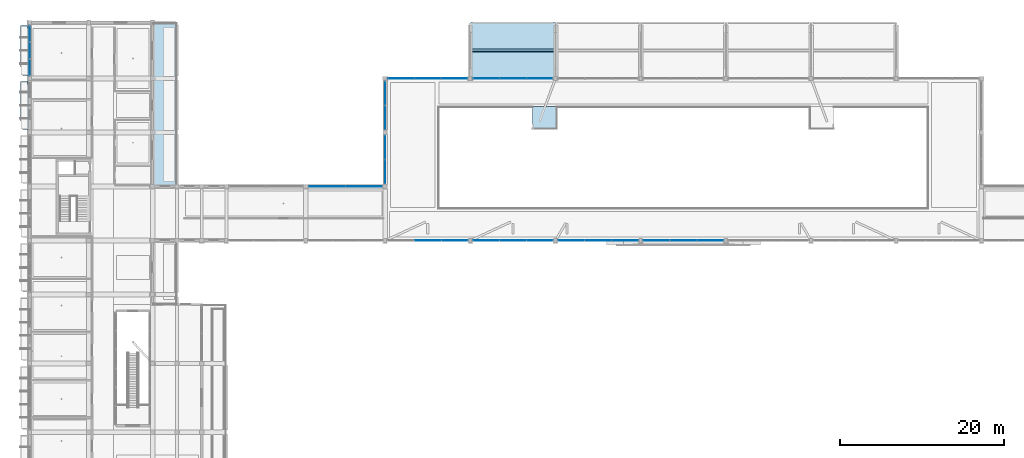
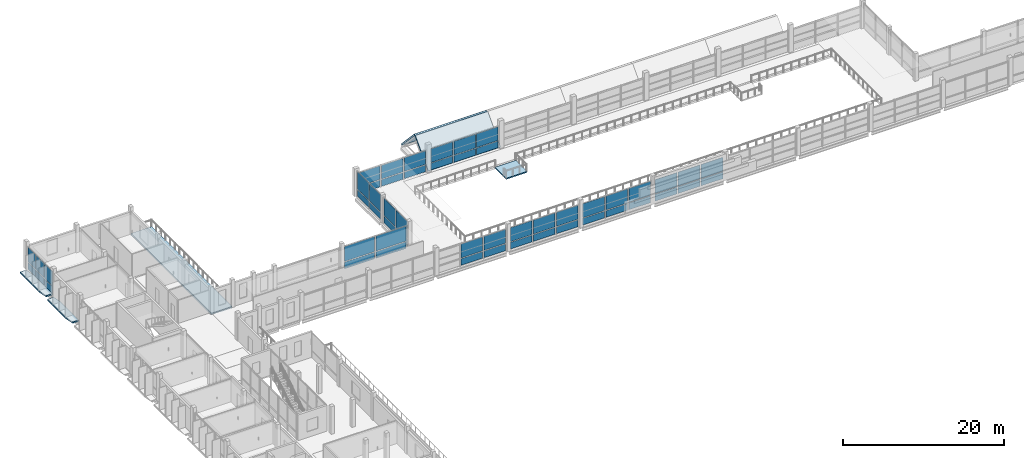
# One storey, part 32 of 85: 52 plates, 6 slabs, 11 elements without a shape of their own.
"""IFC4 building model written with IfcOpenShell, lengths in metres."""

import ifcopenshell
import ifcopenshell.guid

model = None  # the IFC model being written
_history = None  # IfcOwnerHistory: only IFC2X3 demands one
_inside = {}  # id of a spatial element -> (the spatial element, [elements in it])
_under = {}  # id of a project, library or spatial element -> (it, [spatial elements below it])
_declared = {}  # id of a project -> (the project, [libraries it declares])
_typed = {}  # id of a type object -> (the type object, [elements of that type])
_made_of = {}  # id of a material, layer set ... -> (it, [elements and type objects made of it])


def new_model(schema):
    """Start an empty IFC model of exactly this schema.

    Asked for "IFC4X3", IfcOpenShell would pick the latest addendum, in which some entities
    have other attributes; the version numbers below select the first issue.
    IFC2X3 requires an IfcOwnerHistory on every rooted entity: one is made here for all.
    """
    global model, _history
    if schema == "IFC4X3":
        model = ifcopenshell.file(schema_version=(4, 3, 0, 0))
    else:
        model = ifcopenshell.file(schema=schema)
    _inside.clear()
    _under.clear()
    _declared.clear()
    _typed.clear()
    _made_of.clear()
    _history = None
    if model.schema == "IFC2X3":
        org = make("IfcOrganization", Name="unknown")
        user = make(
            "IfcPersonAndOrganization",
            ThePerson=make("IfcPerson", FamilyName="unknown"),
            TheOrganization=org,
        )
        app = make(
            "IfcApplication",
            ApplicationDeveloper=org,
            Version="unknown",
            ApplicationFullName="unknown",
            ApplicationIdentifier="unknown",
        )
        _history = make(
            "IfcOwnerHistory",
            OwningUser=user,
            OwningApplication=app,
            ChangeAction="ADDED",
            CreationDate=0,
        )
    return model


def make(cls, **values):
    """One entity of the class cls with the attributes given. An attribute that is None is left unset."""
    return model.create_entity(
        cls, **{name: value for name, value in values.items() if value is not None}
    )


def rooted(cls, **values):
    """An entity with a GlobalId (a new one), such as an element, a storey or a relation."""
    return make(cls, GlobalId=ifcopenshell.guid.new(), OwnerHistory=_history, **values)


def si_unit(unit_type, name, prefix=None):
    """IfcSIUnit, for example si_unit("LENGTHUNIT", "METRE", prefix="MILLI")."""
    return make("IfcSIUnit", UnitType=unit_type, Prefix=prefix, Name=name)


def derived_unit(unit_type, elements):
    """IfcDerivedUnit: a product of units, each with its exponent."""
    return make(
        "IfcDerivedUnit",
        Elements=[
            make("IfcDerivedUnitElement", Unit=unit, Exponent=power)
            for unit, power in elements
        ],
        UnitType=unit_type,
    )


def assignment(units):
    """IfcUnitAssignment: the units of a project."""
    return None if units is None else make("IfcUnitAssignment", Units=units)


def point(xyz):
    """IfcCartesianPoint."""
    return None if xyz is None else make("IfcCartesianPoint", Coordinates=xyz)


def direction(xyz):
    """IfcDirection."""
    return None if xyz is None else make("IfcDirection", DirectionRatios=xyz)


def frame(location, z_axis=None, x_axis=None):
    """IfcAxis2Placement3D, a coordinate frame: its origin and axes. An axis left out is left unset."""
    return make(
        "IfcAxis2Placement3D",
        Location=point(location),
        Axis=direction(z_axis),
        RefDirection=direction(x_axis),
    )


def frame_2d(location, x_axis=None):
    """IfcAxis2Placement2D, a coordinate frame in the plane: its origin and x axis."""
    return make(
        "IfcAxis2Placement2D", Location=point(location), RefDirection=direction(x_axis)
    )


def origin():
    """The frame at (0, 0, 0) with its axes left unset."""
    return frame((0.0, 0.0, 0.0))


def origin_2d():
    """The frame at (0, 0) in the plane with its x axis left unset."""
    return frame_2d((0.0, 0.0))


def place(relative_to, where):
    """IfcLocalPlacement: puts the frame where relative to a parent placement (None: the world)."""
    return make(
        "IfcLocalPlacement", PlacementRelTo=relative_to, RelativePlacement=where
    )


def context(
    kind, dimensions, precision=None, world=None, true_north=None, identifier=None
):
    """IfcGeometricRepresentationContext, for example the 3D "Model" context."""
    return make(
        "IfcGeometricRepresentationContext",
        ContextIdentifier=identifier,
        ContextType=kind,
        CoordinateSpaceDimension=dimensions,
        Precision=precision,
        WorldCoordinateSystem=world,
        TrueNorth=true_north,
    )


def subcontext(parent, identifier, kind, view, scale=None):
    """IfcGeometricRepresentationSubContext, for example "Body" below "Model"."""
    return make(
        "IfcGeometricRepresentationSubContext",
        ContextIdentifier=identifier,
        ContextType=kind,
        ParentContext=parent,
        TargetScale=scale,
        TargetView=view,
    )


def project(units=None, contexts=None):
    """IfcProject with its units and contexts."""
    return rooted(
        "IfcProject",
        Name="project",
        RepresentationContexts=contexts,
        UnitsInContext=assignment(units),
    )


def spatial(cls, under=None, at=None, **own):
    """A site, building, storey or space (cls), placed at a placement, below another one or the project."""
    s = rooted(cls, ObjectPlacement=at, **own)
    if under is not None:
        _under.setdefault(under.id(), (under, []))[1].append(s)
    return s


def polyline(points):
    """IfcPolyline through the points."""
    return make("IfcPolyline", Points=[point(p) for p in points])


def profile(cls, at=None, kind="AREA", **sizes):
    """A parametric profile (cls). Its sizes go by their IFC names, for example OverallWidth=200.0."""
    return make(cls, ProfileType=kind, Position=at, **sizes)


def rectangle(**sizes):
    """IfcRectangleProfileDef."""
    return profile("IfcRectangleProfileDef", **sizes)


def outline(outer, holes=None, kind="AREA"):
    """IfcArbitraryClosedProfileDef: a profile drawn as a closed curve; with holes, ...WithVoids."""
    if holes is None:
        return make("IfcArbitraryClosedProfileDef", ProfileType=kind, OuterCurve=outer)
    return make(
        "IfcArbitraryProfileDefWithVoids",
        ProfileType=kind,
        OuterCurve=outer,
        InnerCurves=holes,
    )


def extrude(swept, where, along, depth):
    """IfcExtrudedAreaSolid: the profile swept, set in the frame where, extruded along a direction by depth."""
    return make(
        "IfcExtrudedAreaSolid",
        SweptArea=swept,
        Position=where,
        ExtrudedDirection=direction(along),
        Depth=depth,
    )


def shape(context_of_items, identifier, shape_type, items):
    """IfcShapeRepresentation: the items that make up one representation, for example the "Body"."""
    return make(
        "IfcShapeRepresentation",
        ContextOfItems=context_of_items,
        RepresentationIdentifier=identifier,
        RepresentationType=shape_type,
        Items=items,
    )


def material(Name=None, Category=None):
    """IfcMaterial."""
    return make("IfcMaterial", Name=Name, Category=Category)


def layer(
    of_material, thickness, ventilated=None, Name=None, Category=None, Priority=None
):
    """IfcMaterialLayer: one layer of a wall or slab, of a material (None: an air gap)."""
    return make(
        "IfcMaterialLayer",
        Material=of_material,
        LayerThickness=thickness,
        IsVentilated=ventilated,
        Name=Name,
        Category=Category,
        Priority=Priority,
    )


def layer_set(layers, Name=None):
    """IfcMaterialLayerSet."""
    return make("IfcMaterialLayerSet", MaterialLayers=layers, LayerSetName=Name)


def made_of(thing, what):
    """Note that an element or type object is made of a material, layer set ...; save() writes the relation."""
    if what is not None:
        _made_of.setdefault(what.id(), (what, []))[1].append(thing)
    return thing


def type_object(cls, material=None, **own):
    """A type object (cls), such as IfcWallType, which elements share."""
    return made_of(rooted(cls, **own), material)


def element(
    cls,
    number,
    at=None,
    inside=None,
    cuts=None,
    type_object=None,
    material=None,
    context=None,
    identifier="Body",
    shape_type=None,
    held_by="IfcProductDefinitionShape",
    body=None,
    shapes=None,
    **own,
):
    """One element of the class cls, such as IfcWall. Its Tag is "e" and its number.

    at: its placement. inside: the storey or other place that contains it. cuts: it is an
    opening in that element (IfcRelVoidsElement). A single representation is given by context,
    identifier, shape_type and body (its items); several are given by shapes. held_by: the class
    of the entity that holds the representations. save() writes the other relations.
    """
    e = rooted(cls, Tag="e%d" % number, ObjectPlacement=at, **own)
    if body is not None:
        shapes = [shape(context, identifier, shape_type, body)]
    if shapes is not None:
        e.Representation = make(held_by, Representations=shapes)
    if inside is not None:
        _inside.setdefault(inside.id(), (inside, []))[1].append(e)
    if cuts is not None:
        rooted(
            "IfcRelVoidsElement", RelatingBuildingElement=cuts, RelatedOpeningElement=e
        )
    if type_object is not None:
        _typed.setdefault(type_object.id(), (type_object, []))[1].append(e)
    return made_of(e, material)


def aggregate(whole, parts):
    """IfcRelAggregates: a whole, such as a stair, and the parts it consists of."""
    return rooted("IfcRelAggregates", RelatingObject=whole, RelatedObjects=parts)


def save(model, path):
    """Write the relations noted so far, then the file.

    IfcRelAggregates (storeys below a building ...), IfcRelContainedInSpatialStructure (elements
    in a storey), IfcRelDefinesByType, IfcRelAssociatesMaterial and IfcRelDeclares: one each for
    every whole, place, type object, material and project.
    """
    for whole, parts in _under.values():
        aggregate(whole, parts)
    for where, things in _inside.values():
        rooted(
            "IfcRelContainedInSpatialStructure",
            RelatedElements=things,
            RelatingStructure=where,
        )
    for kind, things in _typed.values():
        rooted("IfcRelDefinesByType", RelatedObjects=things, RelatingType=kind)
    for what, things in _made_of.values():
        rooted("IfcRelAssociatesMaterial", RelatedObjects=things, RelatingMaterial=what)
    for by, libraries in _declared.values():
        rooted("IfcRelDeclares", RelatingContext=by, RelatedDefinitions=libraries)
    model.write(path)


model = new_model("IFC4")

# Units and contexts
model_context = context("Model", 3, precision=1e-05, world=origin(), true_north=direction((0.0, 1.0)))
body_context = subcontext(model_context, "Body", "Model", "MODEL_VIEW")
ifc_project = project(units=[si_unit("LENGTHUNIT", "METRE"), si_unit("AREAUNIT", "SQUARE_METRE"), si_unit("VOLUMEUNIT", "CUBIC_METRE"), si_unit("PLANEANGLEUNIT", "RADIAN"), si_unit("MASSUNIT", "GRAM", prefix="KILO"), derived_unit("THERMALTRANSMITTANCEUNIT", [(si_unit("POWERUNIT", "WATT"), 1), (si_unit("LENGTHUNIT", "METRE"), -2), (si_unit("THERMODYNAMICTEMPERATUREUNIT", "KELVIN"), -1)])], contexts=[model_context])

# Site, building, storey
site_placement = place(None, origin())
site = spatial("IfcSite", under=ifc_project, at=site_placement, CompositionType="ELEMENT")
building_placement = place(site_placement, origin())
building = spatial("IfcBuilding", under=site, at=building_placement, Name="Braskholm Square Health Centre", CompositionType="ELEMENT")
storey_placement = place(building_placement, frame((0.0, 0.0, 9.300048828125)))
storey = spatial("IfcBuildingStorey", under=building, at=storey_placement, Name="L03", CompositionType="ELEMENT", Elevation=9.300048828125)

# Curtain wall, plates
ifc_material_1 = material(Name="Low-E triple insulating glass (VLT 0.64)", Category="glass")
curtain_wall_type_1 = type_object("IfcCurtainWallType", Name="UnitisedCurtainWall6200x3650", PredefinedType="NOTDEFINED", material=ifc_material_1)
curtain_wall_1_placement = place(storey_placement, origin())
curtain_wall_1 = element("IfcCurtainWall", 1, at=curtain_wall_1_placement, inside=storey, type_object=curtain_wall_type_1, Name="West Outer unitised curtain wall CW-L03-0021", PredefinedType="NOTDEFINED")
ifc_material_2 = material(Name="Architectural bronze anodised aluminium", Category="aluminium")
plate_type_1 = type_object("IfcPlateType", Name="CurtainPanelSpandrel1850x1020", PredefinedType="CURTAIN_PANEL", material=ifc_material_2)
plate_1_placement = place(storey_placement, frame((4.199951171875, 112.473388671875, 0.050048828125), z_axis=(0.0, 0.0, 1.0), x_axis=(0.0, -1.0, 0.0)))
plate_1 = element("IfcPlate", 2, at=plate_1_placement, type_object=plate_type_1, Name="CW-L03-0021 spandrel panel 1", PredefinedType="CURTAIN_PANEL", context=body_context, shape_type="SweptSolid", body=[
    extrude(rectangle(XDim=1.948974609375, YDim=0.035888671875, at=origin_2d()), origin(), (0.0, 0.0, 1.0), 1.02001953125),
])
plate_2_placement = place(storey_placement, frame((4.199951171875, 110.39990234375, 0.050048828125), z_axis=(0.0, 0.0, 1.0), x_axis=(0.0, -1.0, 0.0)))
plate_2 = element("IfcPlate", 3, at=plate_2_placement, type_object=plate_type_1, Name="CW-L03-0021 spandrel panel 2", PredefinedType="CURTAIN_PANEL", context=body_context, shape_type="SweptSolid", body=[
    extrude(rectangle(XDim=1.948974609375, YDim=0.035888671875, at=origin_2d()), origin(), (0.0, 0.0, 1.0), 1.02001953125),
])
plate_3_placement = place(storey_placement, frame((4.199951171875, 108.32666015625, 0.050048828125), z_axis=(0.0, 0.0, 1.0), x_axis=(0.0, -1.0, 0.0)))
plate_3 = element("IfcPlate", 4, at=plate_3_placement, type_object=plate_type_1, Name="CW-L03-0021 spandrel panel 3", PredefinedType="CURTAIN_PANEL", context=body_context, shape_type="SweptSolid", body=[
    extrude(rectangle(XDim=1.948974609375, YDim=0.035888671875, at=origin_2d()), origin(), (0.0, 0.0, 1.0), 1.02001953125),
])

curtain_wall_type_2 = type_object("IfcCurtainWallType", Name="UnitisedCurtainWall6200x3800", PredefinedType="NOTDEFINED", material=ifc_material_1)
curtain_wall_2_placement = place(storey_placement, origin())
curtain_wall_2 = element("IfcCurtainWall", 5, at=curtain_wall_2_placement, inside=storey, type_object=curtain_wall_type_2, Name="Hall Cheek L03 unitised curtain wall CW-L03-0225", PredefinedType="NOTDEFINED")
plate_type_2 = type_object("IfcPlateType", Name="CurtainPanelSpandrel2750x1020", PredefinedType="CURTAIN_PANEL", material=ifc_material_2)
plate_4_placement = place(storey_placement, frame((47.60009765625, 105.181884765625, 0.050048828125), z_axis=(0.0, 0.0, 1.0), x_axis=(0.0, -1.0, 0.0)))
plate_4 = element("IfcPlate", 6, at=plate_4_placement, type_object=plate_type_2, Name="CW-L03-0225 spandrel panel 1", PredefinedType="CURTAIN_PANEL", context=body_context, shape_type="SweptSolid", body=[
    extrude(rectangle(XDim=2.820068359375, YDim=0.035888671875, at=origin_2d()), origin(), (0.0, 0.0, 1.0), 1.02001953125),
])
plate_5_placement = place(storey_placement, frame((47.60009765625, 102.218017578125, 0.050048828125), z_axis=(0.0, 0.0, 1.0), x_axis=(0.0, -1.0, 0.0)))
plate_5 = element("IfcPlate", 7, at=plate_5_placement, type_object=plate_type_2, Name="CW-L03-0225 spandrel panel 2", PredefinedType="CURTAIN_PANEL", context=body_context, shape_type="SweptSolid", body=[
    extrude(rectangle(XDim=2.820068359375, YDim=0.035888671875, at=origin_2d()), origin(), (0.0, 0.0, 1.0), 1.02001953125),
])

curtain_wall_3_placement = place(storey_placement, origin())
curtain_wall_3 = element("IfcCurtainWall", 8, at=curtain_wall_3_placement, inside=storey, type_object=curtain_wall_type_2, Name="Hall Cheek L03 unitised curtain wall CW-L03-0226", PredefinedType="NOTDEFINED")
plate_6_placement = place(storey_placement, frame((47.60009765625, 98.58203125, 0.050048828125), z_axis=(0.0, 0.0, 1.0), x_axis=(0.0, -1.0, 0.0)))
plate_6 = element("IfcPlate", 9, at=plate_6_placement, type_object=plate_type_2, Name="CW-L03-0226 spandrel panel 1", PredefinedType="CURTAIN_PANEL", context=body_context, shape_type="SweptSolid", body=[
    extrude(rectangle(XDim=2.820068359375, YDim=0.035888671875, at=origin_2d()), origin(), (0.0, 0.0, 1.0), 1.02001953125),
])
plate_7_placement = place(storey_placement, frame((47.60009765625, 95.617919921875, 0.050048828125), z_axis=(0.0, 0.0, 1.0), x_axis=(0.0, -1.0, 0.0)))
plate_7 = element("IfcPlate", 10, at=plate_7_placement, type_object=plate_type_2, Name="CW-L03-0226 spandrel panel 2", PredefinedType="CURTAIN_PANEL", context=body_context, shape_type="SweptSolid", body=[
    extrude(rectangle(XDim=2.820068359375, YDim=0.035888671875, at=origin_2d()), origin(), (0.0, 0.0, 1.0), 1.02001953125),
])

curtain_wall_4_placement = place(storey_placement, origin())
curtain_wall_4 = element("IfcCurtainWall", 11, at=curtain_wall_4_placement, inside=storey, type_object=curtain_wall_type_1, Name="Hall Clerestory L03 unitised curtain wall CW-L03-0185", PredefinedType="NOTDEFINED")
plate_type_3 = type_object("IfcPlateType", Name="CurtainPanelSpandrel3150x1020", PredefinedType="CURTAIN_PANEL", material=ifc_material_2)
plate_8_placement = place(storey_placement, frame((52.800048828125, 87.199951171875, 0.050048828125), z_axis=(0.0, 0.0, 1.0), x_axis=(1.0, 0.0, 0.0)))
plate_8 = element("IfcPlate", 12, at=plate_8_placement, type_object=plate_type_3, Name="CW-L03-0185 spandrel panel 2", PredefinedType="CURTAIN_PANEL", context=body_context, shape_type="SweptSolid", body=[
    extrude(rectangle(XDim=3.11328125, YDim=0.035888671875, at=origin_2d()), origin(), (0.0, 0.0, 1.0), 1.02001953125),
])
plate_9_placement = place(storey_placement, frame((56.112060546875, 87.199951171875, 0.050048828125), z_axis=(0.0, 0.0, 1.0), x_axis=(1.0, 0.0, 0.0)))
plate_9 = element("IfcPlate", 13, at=plate_9_placement, type_object=plate_type_3, Name="CW-L03-0185 spandrel panel 3", PredefinedType="CURTAIN_PANEL", context=body_context, shape_type="SweptSolid", body=[
    extrude(rectangle(XDim=3.11328125, YDim=0.035888671875, at=origin_2d()), origin(), (0.0, 0.0, 1.0), 1.02001953125),
])

curtain_wall_5_placement = place(storey_placement, origin())
curtain_wall_5 = element("IfcCurtainWall", 14, at=curtain_wall_5_placement, inside=storey, type_object=curtain_wall_type_1, Name="Hall Clerestory L03 unitised curtain wall CW-L03-0188", PredefinedType="NOTDEFINED")
plate_10_placement = place(storey_placement, frame((59.887939453125, 87.199951171875, 0.050048828125), z_axis=(0.0, 0.0, 1.0), x_axis=(1.0, 0.0, 0.0)))
plate_10 = element("IfcPlate", 15, at=plate_10_placement, type_object=plate_type_3, Name="CW-L03-0188 spandrel panel 1", PredefinedType="CURTAIN_PANEL", context=body_context, shape_type="SweptSolid", body=[
    extrude(rectangle(XDim=3.11328125, YDim=0.035888671875, at=origin_2d()), origin(), (0.0, 0.0, 1.0), 1.02001953125),
])
plate_11_placement = place(storey_placement, frame((63.199951171875, 87.199951171875, 0.050048828125), z_axis=(0.0, 0.0, 1.0), x_axis=(1.0, 0.0, 0.0)))
plate_11 = element("IfcPlate", 16, at=plate_11_placement, type_object=plate_type_3, Name="CW-L03-0188 spandrel panel 2", PredefinedType="CURTAIN_PANEL", context=body_context, shape_type="SweptSolid", body=[
    extrude(rectangle(XDim=3.11328125, YDim=0.035888671875, at=origin_2d()), origin(), (0.0, 0.0, 1.0), 1.02001953125),
])
plate_12_placement = place(storey_placement, frame((66.511962890625, 87.199951171875, 0.050048828125), z_axis=(0.0, 0.0, 1.0), x_axis=(1.0, 0.0, 0.0)))
plate_12 = element("IfcPlate", 17, at=plate_12_placement, type_object=plate_type_3, Name="CW-L03-0188 spandrel panel 3", PredefinedType="CURTAIN_PANEL", context=body_context, shape_type="SweptSolid", body=[
    extrude(rectangle(XDim=3.11328125, YDim=0.035888671875, at=origin_2d()), origin(), (0.0, 0.0, 1.0), 1.02001953125),
])

curtain_wall_6_placement = place(storey_placement, origin())
curtain_wall_6 = element("IfcCurtainWall", 18, at=curtain_wall_6_placement, inside=storey, type_object=curtain_wall_type_1, Name="Hall Clerestory L03 unitised curtain wall CW-L03-0190", PredefinedType="NOTDEFINED")
plate_13_placement = place(storey_placement, frame((70.2880859375, 87.199951171875, 0.050048828125), z_axis=(0.0, 0.0, 1.0), x_axis=(1.0, 0.0, 0.0)))
plate_13 = element("IfcPlate", 19, at=plate_13_placement, type_object=plate_type_3, Name="CW-L03-0190 spandrel panel 1", PredefinedType="CURTAIN_PANEL", context=body_context, shape_type="SweptSolid", body=[
    extrude(rectangle(XDim=3.11328125, YDim=0.035888671875, at=origin_2d()), origin(), (0.0, 0.0, 1.0), 1.02001953125),
])
plate_14_placement = place(storey_placement, frame((73.60009765625, 87.199951171875, 0.050048828125), z_axis=(0.0, 0.0, 1.0), x_axis=(1.0, 0.0, 0.0)))
plate_14 = element("IfcPlate", 20, at=plate_14_placement, type_object=plate_type_3, Name="CW-L03-0190 spandrel panel 2", PredefinedType="CURTAIN_PANEL", context=body_context, shape_type="SweptSolid", body=[
    extrude(rectangle(XDim=3.11328125, YDim=0.035888671875, at=origin_2d()), origin(), (0.0, 0.0, 1.0), 1.02001953125),
])
plate_15_placement = place(storey_placement, frame((76.912109375, 87.199951171875, 0.050048828125), z_axis=(0.0, 0.0, 1.0), x_axis=(1.0, 0.0, 0.0)))
plate_15 = element("IfcPlate", 21, at=plate_15_placement, type_object=plate_type_3, Name="CW-L03-0190 spandrel panel 3", PredefinedType="CURTAIN_PANEL", context=body_context, shape_type="SweptSolid", body=[
    extrude(rectangle(XDim=3.11328125, YDim=0.035888671875, at=origin_2d()), origin(), (0.0, 0.0, 1.0), 1.02001953125),
])

curtain_wall_7_placement = place(storey_placement, origin())
curtain_wall_7 = element("IfcCurtainWall", 22, at=curtain_wall_7_placement, inside=storey, type_object=curtain_wall_type_1, Name="Hall Clerestory L03 unitised curtain wall CW-L03-0192", PredefinedType="NOTDEFINED")
plate_16_placement = place(storey_placement, frame((80.68798828125, 87.199951171875, 0.050048828125), z_axis=(0.0, 0.0, 1.0), x_axis=(1.0, 0.0, 0.0)))
plate_16 = element("IfcPlate", 23, at=plate_16_placement, type_object=plate_type_3, Name="CW-L03-0192 spandrel panel 1", PredefinedType="CURTAIN_PANEL", context=body_context, shape_type="SweptSolid", body=[
    extrude(rectangle(XDim=3.11328125, YDim=0.035888671875, at=origin_2d()), origin(), (0.0, 0.0, 1.0), 1.02001953125),
])
plate_17_placement = place(storey_placement, frame((84.0, 87.199951171875, 0.050048828125), z_axis=(0.0, 0.0, 1.0), x_axis=(1.0, 0.0, 0.0)))
plate_17 = element("IfcPlate", 24, at=plate_17_placement, type_object=plate_type_3, Name="CW-L03-0192 spandrel panel 2", PredefinedType="CURTAIN_PANEL", context=body_context, shape_type="SweptSolid", body=[
    extrude(rectangle(XDim=3.11328125, YDim=0.035888671875, at=origin_2d()), origin(), (0.0, 0.0, 1.0), 1.02001953125),
])
plate_18_placement = place(storey_placement, frame((87.31201171875, 87.199951171875, 0.050048828125), z_axis=(0.0, 0.0, 1.0), x_axis=(1.0, 0.0, 0.0)))
plate_18 = element("IfcPlate", 25, at=plate_18_placement, type_object=plate_type_3, Name="CW-L03-0192 spandrel panel 3", PredefinedType="CURTAIN_PANEL", context=body_context, shape_type="SweptSolid", body=[
    extrude(rectangle(XDim=3.11328125, YDim=0.035888671875, at=origin_2d()), origin(), (0.0, 0.0, 1.0), 1.02001953125),
])

curtain_wall_8_placement = place(storey_placement, origin())
curtain_wall_8 = element("IfcCurtainWall", 26, at=curtain_wall_8_placement, inside=storey, type_object=curtain_wall_type_1, Name="Hall North Clerestory unitised curtain wall CW-L03-0229", PredefinedType="NOTDEFINED")
plate_19_placement = place(storey_placement, frame((56.066650390625, 107.0, 0.050048828125), z_axis=(0.0, 0.0, 1.0), x_axis=(-1.0, 0.0, 0.0)))
plate_19 = element("IfcPlate", 27, at=plate_19_placement, type_object=plate_type_3, Name="CW-L03-0229 spandrel panel 1", PredefinedType="CURTAIN_PANEL", context=body_context, shape_type="SweptSolid", body=[
    extrude(rectangle(XDim=3.07080078125, YDim=0.035888671875, at=origin_2d()), origin(), (0.0, 0.0, 1.0), 1.02001953125),
])
plate_20_placement = place(storey_placement, frame((52.800048828125, 107.0, 0.050048828125), z_axis=(0.0, 0.0, 1.0), x_axis=(-1.0, 0.0, 0.0)))
plate_20 = element("IfcPlate", 28, at=plate_20_placement, type_object=plate_type_3, Name="CW-L03-0229 spandrel panel 2", PredefinedType="CURTAIN_PANEL", context=body_context, shape_type="SweptSolid", body=[
    extrude(rectangle(XDim=3.07080078125, YDim=0.035888671875, at=origin_2d()), origin(), (0.0, 0.0, 1.0), 1.02001953125),
])
plate_21_placement = place(storey_placement, frame((49.533203125, 107.0, 0.050048828125), z_axis=(0.0, 0.0, 1.0), x_axis=(-1.0, 0.0, 0.0)))
plate_21 = element("IfcPlate", 29, at=plate_21_placement, type_object=plate_type_3, Name="CW-L03-0229 spandrel panel 3", PredefinedType="CURTAIN_PANEL", context=body_context, shape_type="SweptSolid", body=[
    extrude(rectangle(XDim=3.07080078125, YDim=0.035888671875, at=origin_2d()), origin(), (0.0, 0.0, 1.0), 1.02001953125),
])

curtain_wall_9_placement = place(storey_placement, origin())
curtain_wall_9 = element("IfcCurtainWall", 30, at=curtain_wall_9_placement, inside=storey, type_object=curtain_wall_type_1, Name="Hall North Clerestory unitised curtain wall CW-L03-0230", PredefinedType="NOTDEFINED")
plate_22_placement = place(storey_placement, frame((66.466796875, 107.0, 0.050048828125), z_axis=(0.0, 0.0, 1.0), x_axis=(-1.0, 0.0, 0.0)))
plate_22 = element("IfcPlate", 31, at=plate_22_placement, type_object=plate_type_3, Name="CW-L03-0230 spandrel panel 1", PredefinedType="CURTAIN_PANEL", context=body_context, shape_type="SweptSolid", body=[
    extrude(rectangle(XDim=3.07080078125, YDim=0.035888671875, at=origin_2d()), origin(), (0.0, 0.0, 1.0), 1.02001953125),
])
plate_23_placement = place(storey_placement, frame((63.199951171875, 107.0, 0.050048828125), z_axis=(0.0, 0.0, 1.0), x_axis=(-1.0, 0.0, 0.0)))
plate_23 = element("IfcPlate", 32, at=plate_23_placement, type_object=plate_type_3, Name="CW-L03-0230 spandrel panel 2", PredefinedType="CURTAIN_PANEL", context=body_context, shape_type="SweptSolid", body=[
    extrude(rectangle(XDim=3.07080078125, YDim=0.035888671875, at=origin_2d()), origin(), (0.0, 0.0, 1.0), 1.02001953125),
])
plate_24_placement = place(storey_placement, frame((59.933349609375, 107.0, 0.050048828125), z_axis=(0.0, 0.0, 1.0), x_axis=(-1.0, 0.0, 0.0)))
plate_24 = element("IfcPlate", 33, at=plate_24_placement, type_object=plate_type_3, Name="CW-L03-0230 spandrel panel 3", PredefinedType="CURTAIN_PANEL", context=body_context, shape_type="SweptSolid", body=[
    extrude(rectangle(XDim=3.07080078125, YDim=0.035888671875, at=origin_2d()), origin(), (0.0, 0.0, 1.0), 1.02001953125),
])

curtain_wall_10_placement = place(storey_placement, origin())
curtain_wall_10 = element("IfcCurtainWall", 34, at=curtain_wall_10_placement, inside=storey, type_object=curtain_wall_type_1, Name="Portal North L03 unitised curtain wall CW-L03-0182", PredefinedType="NOTDEFINED")
plate_type_4 = type_object("IfcPlateType", Name="CurtainPanelSpandrel4350x1020", PredefinedType="CURTAIN_PANEL", material=ifc_material_2)
plate_25_placement = place(storey_placement, frame((45.021484375, 93.800048828125, 0.050048828125), z_axis=(0.0, 0.0, 1.0), x_axis=(-1.0, 0.0, 0.0)))
plate_25 = element("IfcPlate", 35, at=plate_25_placement, type_object=plate_type_4, Name="CW-L03-0182 spandrel panel 1", PredefinedType="CURTAIN_PANEL", context=body_context, shape_type="SweptSolid", body=[
    extrude(rectangle(XDim=4.322021484375, YDim=0.035888671875, at=origin_2d()), origin(), (0.0, 0.0, 1.0), 1.02001953125),
])
plate_26_placement = place(storey_placement, frame((40.478515625, 93.800048828125, 0.050048828125), z_axis=(0.0, 0.0, 1.0), x_axis=(-1.0, 0.0, 0.0)))
plate_26 = element("IfcPlate", 36, at=plate_26_placement, type_object=plate_type_4, Name="CW-L03-0182 spandrel panel 2", PredefinedType="CURTAIN_PANEL", context=body_context, shape_type="SweptSolid", body=[
    extrude(rectangle(XDim=4.322021484375, YDim=0.035888671875, at=origin_2d()), origin(), (0.0, 0.0, 1.0), 1.02001953125),
])

# Plate
plate_type_5 = type_object("IfcPlateType", Name="CurtainPanelVision1850x2120", PredefinedType="CURTAIN_PANEL", material=ifc_material_1)
plate_27_placement = place(storey_placement, frame((4.199951171875, 112.473388671875, 1.169921875), z_axis=(0.0, 0.0, 1.0), x_axis=(0.0, -1.0, 0.0)))
plate_27 = element("IfcPlate", 37, at=plate_27_placement, type_object=plate_type_5, Name="CW-L03-0021 vision glass panel 1", PredefinedType="CURTAIN_PANEL", context=body_context, shape_type="SweptSolid", body=[
    extrude(rectangle(XDim=1.948974609375, YDim=0.035888671875, at=origin_2d()), origin(), (0.0, 0.0, 1.0), 2.199951171875),
])

plate_28_placement = place(storey_placement, frame((4.199951171875, 110.39990234375, 1.169921875), z_axis=(0.0, 0.0, 1.0), x_axis=(0.0, -1.0, 0.0)))
plate_28 = element("IfcPlate", 38, at=plate_28_placement, type_object=plate_type_5, Name="CW-L03-0021 vision glass panel 2", PredefinedType="CURTAIN_PANEL", context=body_context, shape_type="SweptSolid", body=[
    extrude(rectangle(XDim=1.948974609375, YDim=0.035888671875, at=origin_2d()), origin(), (0.0, 0.0, 1.0), 2.199951171875),
])

plate_29_placement = place(storey_placement, frame((4.199951171875, 108.32666015625, 1.169921875), z_axis=(0.0, 0.0, 1.0), x_axis=(0.0, -1.0, 0.0)))
plate_29 = element("IfcPlate", 39, at=plate_29_placement, type_object=plate_type_5, Name="CW-L03-0021 vision glass panel 3", PredefinedType="CURTAIN_PANEL", context=body_context, shape_type="SweptSolid", body=[
    extrude(rectangle(XDim=1.948974609375, YDim=0.035888671875, at=origin_2d()), origin(), (0.0, 0.0, 1.0), 2.199951171875),
])

aggregate(curtain_wall_1, [plate_1, plate_27, plate_2, plate_28, plate_3, plate_29])

plate_type_6 = type_object("IfcPlateType", Name="CurtainPanelVision2750x2520", PredefinedType="CURTAIN_PANEL", material=ifc_material_1)
plate_30_placement = place(storey_placement, frame((47.60009765625, 105.181884765625, 1.169921875), z_axis=(0.0, 0.0, 1.0), x_axis=(0.0, -1.0, 0.0)))
plate_30 = element("IfcPlate", 40, at=plate_30_placement, type_object=plate_type_6, Name="CW-L03-0225 vision glass panel 1", PredefinedType="CURTAIN_PANEL", context=body_context, shape_type="SweptSolid", body=[
    extrude(rectangle(XDim=2.820068359375, YDim=0.035888671875, at=origin_2d()), origin(), (0.0, 0.0, 1.0), 2.6201171875),
])

plate_31_placement = place(storey_placement, frame((47.60009765625, 102.218017578125, 1.169921875), z_axis=(0.0, 0.0, 1.0), x_axis=(0.0, -1.0, 0.0)))
plate_31 = element("IfcPlate", 41, at=plate_31_placement, type_object=plate_type_6, Name="CW-L03-0225 vision glass panel 2", PredefinedType="CURTAIN_PANEL", context=body_context, shape_type="SweptSolid", body=[
    extrude(rectangle(XDim=2.820068359375, YDim=0.035888671875, at=origin_2d()), origin(), (0.0, 0.0, 1.0), 2.6201171875),
])

aggregate(curtain_wall_2, [plate_4, plate_30, plate_5, plate_31])

plate_32_placement = place(storey_placement, frame((47.60009765625, 98.58203125, 1.169921875), z_axis=(0.0, 0.0, 1.0), x_axis=(0.0, -1.0, 0.0)))
plate_32 = element("IfcPlate", 42, at=plate_32_placement, type_object=plate_type_6, Name="CW-L03-0226 vision glass panel 1", PredefinedType="CURTAIN_PANEL", context=body_context, shape_type="SweptSolid", body=[
    extrude(rectangle(XDim=2.820068359375, YDim=0.035888671875, at=origin_2d()), origin(), (0.0, 0.0, 1.0), 2.6201171875),
])

plate_33_placement = place(storey_placement, frame((47.60009765625, 95.617919921875, 1.169921875), z_axis=(0.0, 0.0, 1.0), x_axis=(0.0, -1.0, 0.0)))
plate_33 = element("IfcPlate", 43, at=plate_33_placement, type_object=plate_type_6, Name="CW-L03-0226 vision glass panel 2", PredefinedType="CURTAIN_PANEL", context=body_context, shape_type="SweptSolid", body=[
    extrude(rectangle(XDim=2.820068359375, YDim=0.035888671875, at=origin_2d()), origin(), (0.0, 0.0, 1.0), 2.6201171875),
])

aggregate(curtain_wall_3, [plate_6, plate_32, plate_7, plate_33])

plate_type_7 = type_object("IfcPlateType", Name="CurtainPanelVision3150x2120", PredefinedType="CURTAIN_PANEL", material=ifc_material_1)
plate_34_placement = place(storey_placement, frame((52.800048828125, 87.199951171875, 1.169921875), z_axis=(0.0, 0.0, 1.0), x_axis=(1.0, 0.0, 0.0)))
plate_34 = element("IfcPlate", 44, at=plate_34_placement, type_object=plate_type_7, Name="CW-L03-0185 vision glass panel 2", PredefinedType="CURTAIN_PANEL", context=body_context, shape_type="SweptSolid", body=[
    extrude(rectangle(XDim=3.11328125, YDim=0.035888671875, at=origin_2d()), origin(), (0.0, 0.0, 1.0), 2.1259765625),
])

plate_35_placement = place(storey_placement, frame((56.112060546875, 87.199951171875, 1.169921875), z_axis=(0.0, 0.0, 1.0), x_axis=(1.0, 0.0, 0.0)))
plate_35 = element("IfcPlate", 45, at=plate_35_placement, type_object=plate_type_7, Name="CW-L03-0185 vision glass panel 3", PredefinedType="CURTAIN_PANEL", context=body_context, shape_type="SweptSolid", body=[
    extrude(rectangle(XDim=3.11328125, YDim=0.035888671875, at=origin_2d()), origin(), (0.0, 0.0, 1.0), 2.1259765625),
])

aggregate(curtain_wall_4, [plate_8, plate_34, plate_9, plate_35])

plate_36_placement = place(storey_placement, frame((59.887939453125, 87.199951171875, 1.169921875), z_axis=(0.0, 0.0, 1.0), x_axis=(1.0, 0.0, 0.0)))
plate_36 = element("IfcPlate", 46, at=plate_36_placement, type_object=plate_type_7, Name="CW-L03-0188 vision glass panel 1", PredefinedType="CURTAIN_PANEL", context=body_context, shape_type="SweptSolid", body=[
    extrude(rectangle(XDim=3.11328125, YDim=0.035888671875, at=origin_2d()), origin(), (0.0, 0.0, 1.0), 2.1259765625),
])

plate_37_placement = place(storey_placement, frame((63.199951171875, 87.199951171875, 1.169921875), z_axis=(0.0, 0.0, 1.0), x_axis=(1.0, 0.0, 0.0)))
plate_37 = element("IfcPlate", 47, at=plate_37_placement, type_object=plate_type_7, Name="CW-L03-0188 vision glass panel 2", PredefinedType="CURTAIN_PANEL", context=body_context, shape_type="SweptSolid", body=[
    extrude(rectangle(XDim=3.11328125, YDim=0.035888671875, at=origin_2d()), origin(), (0.0, 0.0, 1.0), 2.1259765625),
])

plate_38_placement = place(storey_placement, frame((66.511962890625, 87.199951171875, 1.169921875), z_axis=(0.0, 0.0, 1.0), x_axis=(1.0, 0.0, 0.0)))
plate_38 = element("IfcPlate", 48, at=plate_38_placement, type_object=plate_type_7, Name="CW-L03-0188 vision glass panel 3", PredefinedType="CURTAIN_PANEL", context=body_context, shape_type="SweptSolid", body=[
    extrude(rectangle(XDim=3.11328125, YDim=0.035888671875, at=origin_2d()), origin(), (0.0, 0.0, 1.0), 2.1259765625),
])

aggregate(curtain_wall_5, [plate_10, plate_36, plate_11, plate_37, plate_12, plate_38])

plate_39_placement = place(storey_placement, frame((70.2880859375, 87.199951171875, 1.169921875), z_axis=(0.0, 0.0, 1.0), x_axis=(1.0, 0.0, 0.0)))
plate_39 = element("IfcPlate", 49, at=plate_39_placement, type_object=plate_type_7, Name="CW-L03-0190 vision glass panel 1", PredefinedType="CURTAIN_PANEL", context=body_context, shape_type="SweptSolid", body=[
    extrude(rectangle(XDim=3.11328125, YDim=0.035888671875, at=origin_2d()), origin(), (0.0, 0.0, 1.0), 2.1259765625),
])

plate_40_placement = place(storey_placement, frame((73.60009765625, 87.199951171875, 1.169921875), z_axis=(0.0, 0.0, 1.0), x_axis=(1.0, 0.0, 0.0)))
plate_40 = element("IfcPlate", 50, at=plate_40_placement, type_object=plate_type_7, Name="CW-L03-0190 vision glass panel 2", PredefinedType="CURTAIN_PANEL", context=body_context, shape_type="SweptSolid", body=[
    extrude(rectangle(XDim=3.11328125, YDim=0.035888671875, at=origin_2d()), origin(), (0.0, 0.0, 1.0), 2.1259765625),
])

plate_41_placement = place(storey_placement, frame((76.912109375, 87.199951171875, 1.169921875), z_axis=(0.0, 0.0, 1.0), x_axis=(1.0, 0.0, 0.0)))
plate_41 = element("IfcPlate", 51, at=plate_41_placement, type_object=plate_type_7, Name="CW-L03-0190 vision glass panel 3", PredefinedType="CURTAIN_PANEL", context=body_context, shape_type="SweptSolid", body=[
    extrude(rectangle(XDim=3.11328125, YDim=0.035888671875, at=origin_2d()), origin(), (0.0, 0.0, 1.0), 2.1259765625),
])

aggregate(curtain_wall_6, [plate_13, plate_39, plate_14, plate_40, plate_15, plate_41])

plate_42_placement = place(storey_placement, frame((80.68798828125, 87.199951171875, 1.169921875), z_axis=(0.0, 0.0, 1.0), x_axis=(1.0, 0.0, 0.0)))
plate_42 = element("IfcPlate", 52, at=plate_42_placement, type_object=plate_type_7, Name="CW-L03-0192 vision glass panel 1", PredefinedType="CURTAIN_PANEL", context=body_context, shape_type="SweptSolid", body=[
    extrude(rectangle(XDim=3.11328125, YDim=0.035888671875, at=origin_2d()), origin(), (0.0, 0.0, 1.0), 2.1259765625),
])

plate_43_placement = place(storey_placement, frame((84.0, 87.199951171875, 1.169921875), z_axis=(0.0, 0.0, 1.0), x_axis=(1.0, 0.0, 0.0)))
plate_43 = element("IfcPlate", 53, at=plate_43_placement, type_object=plate_type_7, Name="CW-L03-0192 vision glass panel 2", PredefinedType="CURTAIN_PANEL", context=body_context, shape_type="SweptSolid", body=[
    extrude(rectangle(XDim=3.11328125, YDim=0.035888671875, at=origin_2d()), origin(), (0.0, 0.0, 1.0), 2.1259765625),
])

plate_44_placement = place(storey_placement, frame((87.31201171875, 87.199951171875, 1.169921875), z_axis=(0.0, 0.0, 1.0), x_axis=(1.0, 0.0, 0.0)))
plate_44 = element("IfcPlate", 54, at=plate_44_placement, type_object=plate_type_7, Name="CW-L03-0192 vision glass panel 3", PredefinedType="CURTAIN_PANEL", context=body_context, shape_type="SweptSolid", body=[
    extrude(rectangle(XDim=3.11328125, YDim=0.035888671875, at=origin_2d()), origin(), (0.0, 0.0, 1.0), 2.1259765625),
])

aggregate(curtain_wall_7, [plate_16, plate_42, plate_17, plate_43, plate_18, plate_44])

plate_45_placement = place(storey_placement, frame((56.066650390625, 107.0, 1.169921875), z_axis=(0.0, 0.0, 1.0), x_axis=(-1.0, 0.0, 0.0)))
plate_45 = element("IfcPlate", 55, at=plate_45_placement, type_object=plate_type_7, Name="CW-L03-0229 vision glass panel 1", PredefinedType="CURTAIN_PANEL", context=body_context, shape_type="SweptSolid", body=[
    extrude(rectangle(XDim=3.07080078125, YDim=0.035888671875, at=origin_2d()), origin(), (0.0, 0.0, 1.0), 2.075927734375),
])

plate_46_placement = place(storey_placement, frame((52.800048828125, 107.0, 1.169921875), z_axis=(0.0, 0.0, 1.0), x_axis=(-1.0, 0.0, 0.0)))
plate_46 = element("IfcPlate", 56, at=plate_46_placement, type_object=plate_type_7, Name="CW-L03-0229 vision glass panel 2", PredefinedType="CURTAIN_PANEL", context=body_context, shape_type="SweptSolid", body=[
    extrude(rectangle(XDim=3.07080078125, YDim=0.035888671875, at=origin_2d()), origin(), (0.0, 0.0, 1.0), 2.075927734375),
])

plate_47_placement = place(storey_placement, frame((49.533203125, 107.0, 1.169921875), z_axis=(0.0, 0.0, 1.0), x_axis=(-1.0, 0.0, 0.0)))
plate_47 = element("IfcPlate", 57, at=plate_47_placement, type_object=plate_type_7, Name="CW-L03-0229 vision glass panel 3", PredefinedType="CURTAIN_PANEL", context=body_context, shape_type="SweptSolid", body=[
    extrude(rectangle(XDim=3.07080078125, YDim=0.035888671875, at=origin_2d()), origin(), (0.0, 0.0, 1.0), 2.075927734375),
])

aggregate(curtain_wall_8, [plate_19, plate_45, plate_20, plate_46, plate_21, plate_47])

plate_48_placement = place(storey_placement, frame((66.466796875, 107.0, 1.169921875), z_axis=(0.0, 0.0, 1.0), x_axis=(-1.0, 0.0, 0.0)))
plate_48 = element("IfcPlate", 58, at=plate_48_placement, type_object=plate_type_7, Name="CW-L03-0230 vision glass panel 1", PredefinedType="CURTAIN_PANEL", context=body_context, shape_type="SweptSolid", body=[
    extrude(rectangle(XDim=3.07080078125, YDim=0.035888671875, at=origin_2d()), origin(), (0.0, 0.0, 1.0), 2.075927734375),
])

plate_49_placement = place(storey_placement, frame((63.199951171875, 107.0, 1.169921875), z_axis=(0.0, 0.0, 1.0), x_axis=(-1.0, 0.0, 0.0)))
plate_49 = element("IfcPlate", 59, at=plate_49_placement, type_object=plate_type_7, Name="CW-L03-0230 vision glass panel 2", PredefinedType="CURTAIN_PANEL", context=body_context, shape_type="SweptSolid", body=[
    extrude(rectangle(XDim=3.07080078125, YDim=0.035888671875, at=origin_2d()), origin(), (0.0, 0.0, 1.0), 2.075927734375),
])

plate_50_placement = place(storey_placement, frame((59.933349609375, 107.0, 1.169921875), z_axis=(0.0, 0.0, 1.0), x_axis=(-1.0, 0.0, 0.0)))
plate_50 = element("IfcPlate", 60, at=plate_50_placement, type_object=plate_type_7, Name="CW-L03-0230 vision glass panel 3", PredefinedType="CURTAIN_PANEL", context=body_context, shape_type="SweptSolid", body=[
    extrude(rectangle(XDim=3.07080078125, YDim=0.035888671875, at=origin_2d()), origin(), (0.0, 0.0, 1.0), 2.075927734375),
])

aggregate(curtain_wall_9, [plate_22, plate_48, plate_23, plate_49, plate_24, plate_50])

plate_type_8 = type_object("IfcPlateType", Name="CurtainPanelVision4350x2120", PredefinedType="CURTAIN_PANEL", material=ifc_material_1)
plate_51_placement = place(storey_placement, frame((45.021484375, 93.800048828125, 1.169921875), z_axis=(0.0, 0.0, 1.0), x_axis=(-1.0, 0.0, 0.0)))
plate_51 = element("IfcPlate", 61, at=plate_51_placement, type_object=plate_type_8, Name="CW-L03-0182 vision glass panel 1", PredefinedType="CURTAIN_PANEL", context=body_context, shape_type="SweptSolid", body=[
    extrude(rectangle(XDim=4.322021484375, YDim=0.035888671875, at=origin_2d()), origin(), (0.0, 0.0, 1.0), 2.27001953125),
])

plate_52_placement = place(storey_placement, frame((40.478515625, 93.800048828125, 1.169921875), z_axis=(0.0, 0.0, 1.0), x_axis=(-1.0, 0.0, 0.0)))
plate_52 = element("IfcPlate", 62, at=plate_52_placement, type_object=plate_type_8, Name="CW-L03-0182 vision glass panel 2", PredefinedType="CURTAIN_PANEL", context=body_context, shape_type="SweptSolid", body=[
    extrude(rectangle(XDim=4.322021484375, YDim=0.035888671875, at=origin_2d()), origin(), (0.0, 0.0, 1.0), 2.27001953125),
])

aggregate(curtain_wall_10, [plate_25, plate_51, plate_26, plate_52])

# Slabs
ifc_material_3 = material(Name="Precast concrete C40/50 architectural white", Category="concrete")
ifc_layer_1 = layer(ifc_material_3, 0.2099609375)
ifc_layer_set_1 = layer_set([ifc_layer_1], Name="Precast concrete C40/50 architectural white")
slab_type_1 = type_object("IfcSlabType", Name="PitchedAndCrownRoofSlab150", PredefinedType="ROOF", material=ifc_layer_set_1)
slab_1_placement = place(storey_placement, frame((0.0, 0.0, -0.2099609375)))
element("IfcSlab", 63, at=slab_1_placement, inside=storey, type_object=slab_type_1, Name="Level L03 West precast planter ledge 031", PredefinedType="ROOF", context=body_context, shape_type="SweptSolid", body=[
    extrude(outline(polyline([(3.302978515625, 100.75), (4.199951171875, 100.75), (4.199951171875, 105.35205078125), (3.947021484375, 106.64990234375), (3.050048828125, 106.64990234375), (3.050048828125, 102.048095703125), (3.302978515625, 100.75)])), origin(), (0.0, 0.0, 1.0), 0.2099609375),
])
slab_2_placement = place(storey_placement, frame((0.0, 0.0, -0.2099609375)))
element("IfcSlab", 64, at=slab_2_placement, inside=storey, type_object=slab_type_1, Name="Level L03 West precast planter ledge 032", PredefinedType="ROOF", context=body_context, shape_type="SweptSolid", body=[
    extrude(outline(polyline([(3.302978515625, 107.35009765625), (4.199951171875, 107.35009765625), (4.199951171875, 112.10791015625), (3.947021484375, 113.449951171875), (3.050048828125, 113.449951171875), (3.050048828125, 108.69189453125), (3.302978515625, 107.35009765625)])), origin(), (0.0, 0.0, 1.0), 0.2099609375),
])

# Roof, slabs
ifc_material_4 = material(Name="Patinated standing-seam architectural copper")
roof_type = type_object("IfcRoofType", Name="HydrotherapyHipRoof", PredefinedType="HIP_ROOF", material=ifc_material_4)
roof_placement = place(storey_placement, origin())
roof = element("IfcRoof", 65, at=roof_placement, inside=storey, type_object=roof_type, Name="Hydrotherapy Pavilion pitched copper roof", PredefinedType="HIP_ROOF")
slab_3_placement = place(storey_placement, frame((58.0, 107.0, 0.0), z_axis=(0.0, -0.731053547869, 0.682320093613), x_axis=(1.0, 0.0, 0.0)))
slab_3 = element("IfcSlab", 66, at=slab_3_placement, type_object=slab_type_1, Name="Hydrotherapy pitched roof deck Bay 1 South", PredefinedType="ROOF", context=body_context, shape_type="SweptSolid", body=[
    extrude(outline(polyline([(0.0, 0.0), (10.39990234375, 0.0), (10.39990234375, 4.719149755761624), (0.0, 4.719149755761624), (0.0, 0.0)])), origin(), (0.0, 0.0, -1.0), 0.2099609375),
])
slab_4_placement = place(storey_placement, frame((68.39990234375, 113.800048828125, 0.0), z_axis=(0.0, 0.731053547869, 0.682320093613), x_axis=(-1.0, 0.0, 0.0)))
slab_4 = element("IfcSlab", 67, at=slab_4_placement, type_object=slab_type_1, Name="Hydrotherapy pitched roof deck Bay 1 North", PredefinedType="ROOF", context=body_context, shape_type="SweptSolid", body=[
    extrude(outline(polyline([(0.0, 0.0), (10.39990234375, 0.0), (10.39990234375, 4.719149755761624), (0.0, 4.719149755761624), (0.0, 0.0)])), origin(), (0.0, 0.0, -1.0), 0.2099609375),
])
aggregate(roof, [slab_3, slab_4])

# Slabs
ifc_material_5 = material(Name="Concrete C35/45 (f'c = 35 MPa)", Category="concrete")
ifc_layer_2 = layer(ifc_material_5, 0.25)
ifc_layer_set_2 = layer_set([ifc_layer_2], Name="Concrete C35/45 (f'c = 35 MPa)")
slab_type_2 = type_object("IfcSlabType", Name="PlantedTerraceRoofSlab250", PredefinedType="ROOF", material=ifc_layer_set_2)
slab_5_placement = place(storey_placement, frame((0.0, 0.0, -0.25)))
element("IfcSlab", 68, at=slab_5_placement, inside=storey, type_object=slab_type_2, Name="Level L03 Northwest Step 1 garden terrace slab", PredefinedType="ROOF", context=body_context, shape_type="SweptSolid", body=[
    extrude(outline(polyline([(19.199951171875, 93.800048828125), (22.199951171875, 93.800048828125), (22.199951171875, 113.800048828125), (19.199951171875, 113.800048828125), (19.199951171875, 93.800048828125)])), origin(), (0.0, 0.0, 1.0), 0.25),
])
ifc_layer_3 = layer(ifc_material_5, 0.179931640625)
ifc_layer_set_3 = layer_set([ifc_layer_3], Name="Concrete C35/45 (f'c = 35 MPa)")
slab_type_3 = type_object("IfcSlabType", Name="StairLandingSlab180", PredefinedType="LANDING", material=ifc_layer_set_3)
slab_6_placement = place(storey_placement, frame((0.0, 0.0, -0.179931640625)))
element("IfcSlab", 69, at=slab_6_placement, inside=storey, type_object=slab_type_3, Name="Atrium feature stair landing SLAB-L03-HALL-BRIDGE-W", PredefinedType="LANDING", context=body_context, shape_type="SweptSolid", body=[
    extrude(outline(polyline([(65.60009765625, 100.800048828125), (68.60009765625, 100.800048828125), (68.60009765625, 103.590087890625), (65.60009765625, 103.590087890625), (65.60009765625, 100.800048828125)])), origin(), (0.0, 0.0, 1.0), 0.179931640625),
])

save(model, "model.ifc")
